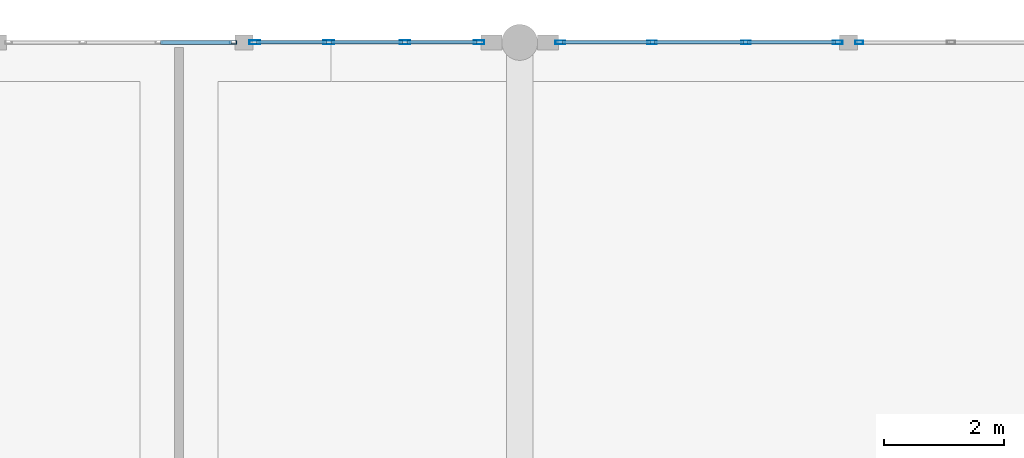
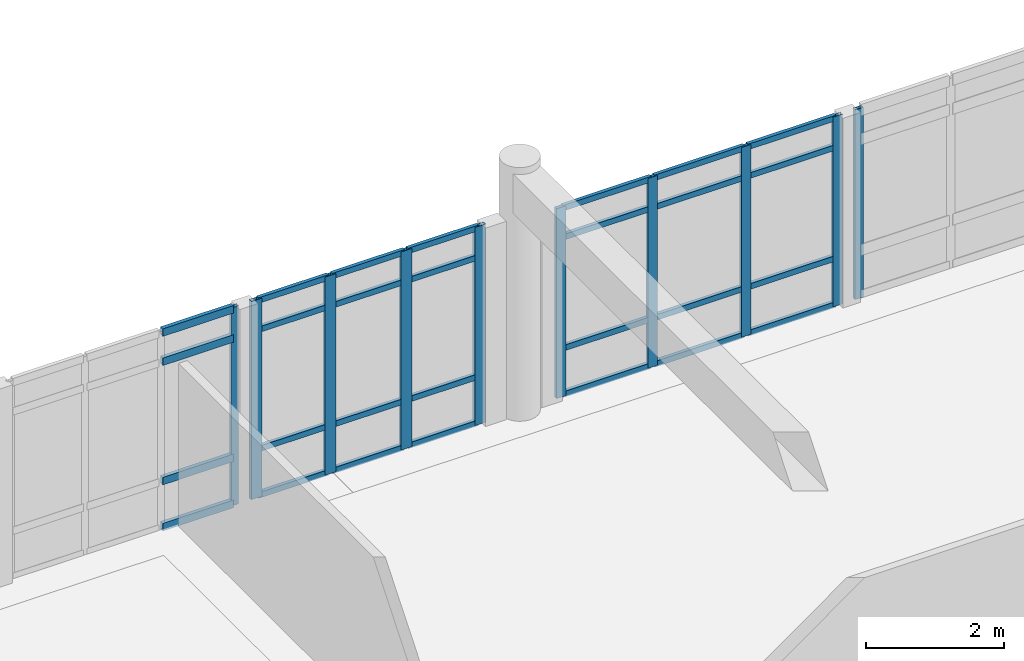
# One storey, part 55 of 109: 38 members, 4 elements without a shape of their own.
"""IFC4 building model written with IfcOpenShell, lengths in metres."""

from ifc_helpers import new_model, si_unit, direction, frame, origin, origin_2d, place, context, subcontext, project, spatial, hollow_rectangle, extrude, material, layer, layer_set, material_profile, profile_set, type_object, element, aggregate, save


model = new_model("IFC4")

# Units and contexts
model_context = context("Model", 3, precision=1e-05, world=origin(), true_north=direction((0.0, 1.0)))
body_context = subcontext(model_context, "Body", "Model", "MODEL_VIEW")
ifc_project = project(units=[si_unit("LENGTHUNIT", "METRE"), si_unit("AREAUNIT", "SQUARE_METRE"), si_unit("VOLUMEUNIT", "CUBIC_METRE"), si_unit("PLANEANGLEUNIT", "RADIAN"), si_unit("MASSUNIT", "GRAM", prefix="KILO")], contexts=[model_context])

# Site, building, storey
site_placement = place(None, origin())
site = spatial("IfcSite", under=ifc_project, at=site_placement, CompositionType="ELEMENT")
building_placement = place(site_placement, origin())
building = spatial("IfcBuilding", under=site, at=building_placement, Name="Fikremerkos Civic Library", CompositionType="ELEMENT")
storey_placement = place(building_placement, frame((0.0, 0.0, 5.39990234375)))
storey = spatial("IfcBuildingStorey", under=building, at=storey_placement, Name="L01", CompositionType="ELEMENT", Elevation=5.39990234375)

# Curtain wall, members
ifc_material = material(Name="Anodized aluminium Frame", Category="aluminium")
ifc_layer_1 = layer(ifc_material, 0.159912109375, Name="Anodized aluminium Frame")
ifc_layer_set_1 = layer_set([ifc_layer_1], Name="Anodized aluminium Frame")
curtain_wall_type_1 = type_object("IfcCurtainWallType", Name="Unitised curtain wall CW-13 3700x3200", PredefinedType="USERDEFINED", material=ifc_layer_set_1)
curtain_wall_1_placement = place(storey_placement, origin())
curtain_wall_1 = element("IfcCurtainWall", 1, at=curtain_wall_1_placement, inside=storey, type_object=curtain_wall_type_1, Name="Unitised curtain wall CW-13 L01 #139", ObjectType="UNITISED CURTAIN WALL", PredefinedType="USERDEFINED")
ifc_material_profile_1 = material_profile(ifc_material, hollow_rectangle(XDim=0.06494140625, YDim=0.179931640625, WallThickness=0.00439453125, at=origin_2d()), Name="ALU 180x65x4.5")
ifc_profile_set_1 = profile_set([ifc_material_profile_1], Name="Anodized aluminium Frame")
member_type_1 = type_object("IfcMemberType", Name="Curtain mullion CWM-01 ALU 180x65x4.5", PredefinedType="MULLION", material=ifc_profile_set_1)
member_1_placement = place(storey_placement, frame((109.2666015625, 117.60009765625, 0.0), z_axis=(0.0, 0.0, 1.0), x_axis=(0.0, 1.0, 0.0)))
member_1 = element("IfcMember", 2, at=member_1_placement, type_object=member_type_1, Name="CW-13 mullion 1", PredefinedType="MULLION", context=body_context, shape_type="SweptSolid", body=[
    extrude(hollow_rectangle(XDim=0.06494140625, YDim=0.179931640625, WallThickness=0.00439453125, at=origin_2d()), origin(), (0.0, 0.0, 1.0), 3.517333984375),
])
member_2_placement = place(storey_placement, frame((110.506591796875, 117.60009765625, 0.0), z_axis=(0.0, 0.0, 1.0), x_axis=(0.0, 1.0, 0.0)))
member_2 = element("IfcMember", 3, at=member_2_placement, type_object=member_type_1, Name="CW-13 mullion 2", PredefinedType="MULLION", context=body_context, shape_type="SweptSolid", body=[
    extrude(hollow_rectangle(XDim=0.06494140625, YDim=0.179931640625, WallThickness=0.00439453125, at=origin_2d()), origin(), (0.0, 0.0, 1.0), 3.517333984375),
])
member_3_placement = place(storey_placement, frame((111.779296875, 117.60009765625, 0.0), z_axis=(0.0, 0.0, 1.0), x_axis=(0.0, 1.0, 0.0)))
member_3 = element("IfcMember", 4, at=member_3_placement, type_object=member_type_1, Name="CW-13 mullion 3", PredefinedType="MULLION", context=body_context, shape_type="SweptSolid", body=[
    extrude(hollow_rectangle(XDim=0.06494140625, YDim=0.179931640625, WallThickness=0.00439453125, at=origin_2d()), origin(), (0.0, 0.0, 1.0), 3.517333984375),
])
member_4_placement = place(storey_placement, frame((113.01953125, 117.60009765625, 0.0), z_axis=(0.0, 0.0, 1.0), x_axis=(0.0, 1.0, 0.0)))
member_4 = element("IfcMember", 5, at=member_4_placement, type_object=member_type_1, Name="CW-13 mullion 4", PredefinedType="MULLION", context=body_context, shape_type="SweptSolid", body=[
    extrude(hollow_rectangle(XDim=0.06494140625, YDim=0.179931640625, WallThickness=0.00439453125, at=origin_2d()), origin(), (0.0, 0.0, 1.0), 3.517333984375),
])

ifc_layer_2 = layer(ifc_material, 0.159912109375, Name="Anodized aluminium Frame")
ifc_layer_set_2 = layer_set([ifc_layer_2], Name="Anodized aluminium Frame")
curtain_wall_type_2 = type_object("IfcCurtainWallType", Name="Unitised curtain wall CW-14 4100x3200", PredefinedType="USERDEFINED", material=ifc_layer_set_2)
curtain_wall_2_placement = place(storey_placement, origin())
curtain_wall_2 = element("IfcCurtainWall", 6, at=curtain_wall_2_placement, inside=storey, type_object=curtain_wall_type_2, Name="Unitised curtain wall CW-14 L01 #140", ObjectType="UNITISED CURTAIN WALL", PredefinedType="USERDEFINED")
ifc_material_profile_2 = material_profile(ifc_material, hollow_rectangle(XDim=0.06005859375, YDim=0.159912109375, WallThickness=0.00390625, at=origin_2d()), Name="ALU 160x60x4")
ifc_profile_set_2 = profile_set([ifc_material_profile_2], Name="Anodized aluminium Frame")
member_type_2 = type_object("IfcMemberType", Name="Curtain mullion CWM-02 ALU 160x60x4", PredefinedType="MULLION", material=ifc_profile_set_2)
member_5_placement = place(storey_placement, frame((114.3779296875, 117.60009765625, 0.0), z_axis=(0.0, 0.0, 1.0), x_axis=(0.0, 1.0, 0.0)))
member_5 = element("IfcMember", 7, at=member_5_placement, type_object=member_type_2, Name="CW-14 mullion 1", PredefinedType="MULLION", context=body_context, shape_type="SweptSolid", body=[
    extrude(hollow_rectangle(XDim=0.06005859375, YDim=0.159912109375, WallThickness=0.00390625, at=origin_2d()), origin(), (0.0, 0.0, 1.0), 3.3671875),
])
member_6_placement = place(storey_placement, frame((115.915283203125, 117.60009765625, 0.0), z_axis=(0.0, 0.0, 1.0), x_axis=(0.0, 1.0, 0.0)))
member_6 = element("IfcMember", 8, at=member_6_placement, type_object=member_type_2, Name="CW-14 mullion 2", PredefinedType="MULLION", context=body_context, shape_type="SweptSolid", body=[
    extrude(hollow_rectangle(XDim=0.06005859375, YDim=0.159912109375, WallThickness=0.00390625, at=origin_2d()), origin(), (0.0, 0.0, 1.0), 3.3671875),
])
member_7_placement = place(storey_placement, frame((117.482666015625, 117.60009765625, 0.0), z_axis=(0.0, 0.0, 1.0), x_axis=(0.0, 1.0, 0.0)))
member_7 = element("IfcMember", 9, at=member_7_placement, type_object=member_type_2, Name="CW-14 mullion 3", PredefinedType="MULLION", context=body_context, shape_type="SweptSolid", body=[
    extrude(hollow_rectangle(XDim=0.06005859375, YDim=0.159912109375, WallThickness=0.00390625, at=origin_2d()), origin(), (0.0, 0.0, 1.0), 3.3671875),
])
member_8_placement = place(storey_placement, frame((119.02001953125, 117.60009765625, 0.0), z_axis=(0.0, 0.0, 1.0), x_axis=(0.0, 1.0, 0.0)))
member_8 = element("IfcMember", 10, at=member_8_placement, type_object=member_type_2, Name="CW-14 mullion 4", PredefinedType="MULLION", context=body_context, shape_type="SweptSolid", body=[
    extrude(hollow_rectangle(XDim=0.06005859375, YDim=0.159912109375, WallThickness=0.00390625, at=origin_2d()), origin(), (0.0, 0.0, 1.0), 3.3671875),
])

# Curtain wall, member
ifc_layer_3 = layer(ifc_material, 0.159912109375, Name="Anodized aluminium Frame")
ifc_layer_set_3 = layer_set([ifc_layer_3], Name="Anodized aluminium Frame")
curtain_wall_type_3 = type_object("IfcCurtainWallType", Name="Unitised curtain wall CW-15 2900x3600", PredefinedType="USERDEFINED", material=ifc_layer_set_3)
curtain_wall_3_placement = place(storey_placement, origin())
curtain_wall_3 = element("IfcCurtainWall", 11, at=curtain_wall_3_placement, inside=storey, type_object=curtain_wall_type_3, Name="Unitised curtain wall CW-15 L01 #141", ObjectType="UNITISED CURTAIN WALL", PredefinedType="USERDEFINED")
ifc_material_profile_3 = material_profile(ifc_material, hollow_rectangle(XDim=0.06005859375, YDim=0.139892578125, WallThickness=0.00390625, at=origin_2d()), Name="ALU 140x60x4")
ifc_profile_set_3 = profile_set([ifc_material_profile_3], Name="Anodized aluminium Frame")
member_type_3 = type_object("IfcMemberType", Name="Curtain mullion CWM-03 ALU 140x60x4", PredefinedType="MULLION", material=ifc_profile_set_3)
member_9_placement = place(storey_placement, frame((119.3798828125, 117.60009765625, 0.0), z_axis=(0.0, 0.0, 1.0), x_axis=(0.0, 1.0, 0.0)))
member_9 = element("IfcMember", 12, at=member_9_placement, type_object=member_type_3, Name="CW-15 mullion 1", PredefinedType="MULLION", context=body_context, shape_type="SweptSolid", body=[
    extrude(hollow_rectangle(XDim=0.06005859375, YDim=0.139892578125, WallThickness=0.00390625, at=origin_2d()), origin(), (0.0, 0.0, 1.0), 3.3671875),
])
aggregate(curtain_wall_3, [member_9])

# Curtain wall, members
ifc_layer_4 = layer(ifc_material, 0.159912109375, Name="Anodized aluminium Frame")
ifc_layer_set_4 = layer_set([ifc_layer_4], Name="Anodized aluminium Frame")
curtain_wall_type_4 = type_object("IfcCurtainWallType", Name="Unitised curtain wall CW-12 4300x3400", PredefinedType="USERDEFINED", material=ifc_layer_set_4)
curtain_wall_4_placement = place(storey_placement, origin())
curtain_wall_4 = element("IfcCurtainWall", 13, at=curtain_wall_4_placement, inside=storey, type_object=curtain_wall_type_4, Name="Unitised curtain wall CW-12 L01 #138", ObjectType="UNITISED CURTAIN WALL", PredefinedType="USERDEFINED")
ifc_material_profile_4 = material_profile(ifc_material, hollow_rectangle(XDim=0.06005859375, YDim=0.1201171875, WallThickness=0.00390625, at=origin_2d()), Name="ALU 120x60x4")
ifc_profile_set_4 = profile_set([ifc_material_profile_4], Name="Anodized aluminium Frame")
member_type_4 = type_object("IfcMemberType", Name="Curtain mullion CWM-04 ALU 120x60x4", PredefinedType="MULLION", material=ifc_profile_set_4)
member_10_placement = place(storey_placement, frame((108.904052734375, 117.60009765625, 0.0), z_axis=(0.0, 0.0, 1.0), x_axis=(0.0, 1.0, 0.0)))
member_10 = element("IfcMember", 14, at=member_10_placement, type_object=member_type_4, Name="CW-12 mullion 4", PredefinedType="MULLION", context=body_context, shape_type="SweptSolid", body=[
    extrude(hollow_rectangle(XDim=0.06005859375, YDim=0.1201171875, WallThickness=0.00390625, at=origin_2d()), origin(), (0.0, 0.0, 1.0), 3.517333984375),
])
ifc_material_profile_5 = material_profile(ifc_material, hollow_rectangle(XDim=0.06494140625, YDim=0.135009765625, WallThickness=0.00439453125, at=origin_2d()), Name="ALU 135x65x4.5")
ifc_profile_set_5 = profile_set([ifc_material_profile_5], Name="Anodized aluminium Frame")
member_type_5 = type_object("IfcMemberType", Name="Curtain transom CWT-02 ALU 135x65x4.5", PredefinedType="USERDEFINED", material=ifc_profile_set_5)
member_11_placement = place(storey_placement, frame((107.69140625, 117.60009765625, 0.03271484375), z_axis=(1.0, 0.0, 0.0), x_axis=(0.0, 1.0, 0.0)))
member_11 = element("IfcMember", 15, at=member_11_placement, type_object=member_type_5, Name="CW-12 transom 3.1", ObjectType="TRANSOM", PredefinedType="USERDEFINED", context=body_context, shape_type="SweptSolid", body=[
    extrude(hollow_rectangle(XDim=0.06494140625, YDim=0.135009765625, WallThickness=0.00439453125, at=origin_2d()), origin(), (0.0, 0.0, 1.0), 1.1826171875),
])
member_12_placement = place(storey_placement, frame((107.69140625, 117.60009765625, 0.85009765625), z_axis=(1.0, 0.0, 0.0), x_axis=(0.0, 1.0, 0.0)))
member_12 = element("IfcMember", 16, at=member_12_placement, type_object=member_type_5, Name="CW-12 transom 3.2", ObjectType="TRANSOM", PredefinedType="USERDEFINED", context=body_context, shape_type="SweptSolid", body=[
    extrude(hollow_rectangle(XDim=0.06494140625, YDim=0.135009765625, WallThickness=0.00439453125, at=origin_2d()), origin(), (0.0, 0.0, 1.0), 1.1826171875),
])
member_13_placement = place(storey_placement, frame((107.69140625, 117.60009765625, 2.96728515625), z_axis=(1.0, 0.0, 0.0), x_axis=(0.0, 1.0, 0.0)))
member_13 = element("IfcMember", 17, at=member_13_placement, type_object=member_type_5, Name="CW-12 transom 3.3", ObjectType="TRANSOM", PredefinedType="USERDEFINED", context=body_context, shape_type="SweptSolid", body=[
    extrude(hollow_rectangle(XDim=0.06494140625, YDim=0.135009765625, WallThickness=0.00439453125, at=origin_2d()), origin(), (0.0, 0.0, 1.0), 1.1826171875),
])
member_14_placement = place(storey_placement, frame((107.69140625, 117.60009765625, 3.48486328125), z_axis=(1.0, 0.0, 0.0), x_axis=(0.0, 1.0, 0.0)))
member_14 = element("IfcMember", 18, at=member_14_placement, type_object=member_type_5, Name="CW-12 transom 3.4", ObjectType="TRANSOM", PredefinedType="USERDEFINED", context=body_context, shape_type="SweptSolid", body=[
    extrude(hollow_rectangle(XDim=0.06494140625, YDim=0.135009765625, WallThickness=0.00439453125, at=origin_2d()), origin(), (0.0, 0.0, 1.0), 1.1826171875),
])
aggregate(curtain_wall_4, [member_10, member_11, member_12, member_13, member_14])

# Member
ifc_material_profile_6 = material_profile(ifc_material, hollow_rectangle(XDim=0.06005859375, YDim=0.10009765625, WallThickness=0.00390625, at=origin_2d()), Name="ALU 100x60x4")
ifc_profile_set_6 = profile_set([ifc_material_profile_6], Name="Anodized aluminium Frame")
member_type_6 = type_object("IfcMemberType", Name="Curtain transom CWT-03 ALU 100x60x4", PredefinedType="USERDEFINED", material=ifc_profile_set_6)
member_15_placement = place(storey_placement, frame((109.299072265625, 117.60009765625, 0.030029296875), z_axis=(1.0, 0.0, 0.0), x_axis=(0.0, 1.0, 0.0)))
member_15 = element("IfcMember", 19, at=member_15_placement, type_object=member_type_6, Name="CW-13 transom 1.1", ObjectType="TRANSOM", PredefinedType="USERDEFINED", context=body_context, shape_type="SweptSolid", body=[
    extrude(hollow_rectangle(XDim=0.06005859375, YDim=0.10009765625, WallThickness=0.00390625, at=origin_2d()), origin(), (0.0, 0.0, 1.0), 1.175048828125),
])

member_16_placement = place(storey_placement, frame((109.299072265625, 117.60009765625, 0.85009765625), z_axis=(1.0, 0.0, 0.0), x_axis=(0.0, 1.0, 0.0)))
member_16 = element("IfcMember", 20, at=member_16_placement, type_object=member_type_6, Name="CW-13 transom 1.2", ObjectType="TRANSOM", PredefinedType="USERDEFINED", context=body_context, shape_type="SweptSolid", body=[
    extrude(hollow_rectangle(XDim=0.06005859375, YDim=0.10009765625, WallThickness=0.00390625, at=origin_2d()), origin(), (0.0, 0.0, 1.0), 1.175048828125),
])

member_17_placement = place(storey_placement, frame((109.299072265625, 117.60009765625, 2.96728515625), z_axis=(1.0, 0.0, 0.0), x_axis=(0.0, 1.0, 0.0)))
member_17 = element("IfcMember", 21, at=member_17_placement, type_object=member_type_6, Name="CW-13 transom 1.3", ObjectType="TRANSOM", PredefinedType="USERDEFINED", context=body_context, shape_type="SweptSolid", body=[
    extrude(hollow_rectangle(XDim=0.06005859375, YDim=0.10009765625, WallThickness=0.00390625, at=origin_2d()), origin(), (0.0, 0.0, 1.0), 1.175048828125),
])

member_18_placement = place(storey_placement, frame((109.299072265625, 117.60009765625, 3.4873046875), z_axis=(1.0, 0.0, 0.0), x_axis=(0.0, 1.0, 0.0)))
member_18 = element("IfcMember", 22, at=member_18_placement, type_object=member_type_6, Name="CW-13 transom 1.4", ObjectType="TRANSOM", PredefinedType="USERDEFINED", context=body_context, shape_type="SweptSolid", body=[
    extrude(hollow_rectangle(XDim=0.06005859375, YDim=0.10009765625, WallThickness=0.00390625, at=origin_2d()), origin(), (0.0, 0.0, 1.0), 1.175048828125),
])

member_19_placement = place(storey_placement, frame((110.5390625, 117.60009765625, 0.030029296875), z_axis=(1.0, 0.0, 0.0), x_axis=(0.0, 1.0, 0.0)))
member_19 = element("IfcMember", 23, at=member_19_placement, type_object=member_type_6, Name="CW-13 transom 2.1", ObjectType="TRANSOM", PredefinedType="USERDEFINED", context=body_context, shape_type="SweptSolid", body=[
    extrude(hollow_rectangle(XDim=0.06005859375, YDim=0.10009765625, WallThickness=0.00390625, at=origin_2d()), origin(), (0.0, 0.0, 1.0), 1.207763671875),
])

member_20_placement = place(storey_placement, frame((110.5390625, 117.60009765625, 0.85009765625), z_axis=(1.0, 0.0, 0.0), x_axis=(0.0, 1.0, 0.0)))
member_20 = element("IfcMember", 24, at=member_20_placement, type_object=member_type_6, Name="CW-13 transom 2.2", ObjectType="TRANSOM", PredefinedType="USERDEFINED", context=body_context, shape_type="SweptSolid", body=[
    extrude(hollow_rectangle(XDim=0.06005859375, YDim=0.10009765625, WallThickness=0.00390625, at=origin_2d()), origin(), (0.0, 0.0, 1.0), 1.207763671875),
])

member_21_placement = place(storey_placement, frame((110.5390625, 117.60009765625, 2.96728515625), z_axis=(1.0, 0.0, 0.0), x_axis=(0.0, 1.0, 0.0)))
member_21 = element("IfcMember", 25, at=member_21_placement, type_object=member_type_6, Name="CW-13 transom 2.3", ObjectType="TRANSOM", PredefinedType="USERDEFINED", context=body_context, shape_type="SweptSolid", body=[
    extrude(hollow_rectangle(XDim=0.06005859375, YDim=0.10009765625, WallThickness=0.00390625, at=origin_2d()), origin(), (0.0, 0.0, 1.0), 1.207763671875),
])

member_22_placement = place(storey_placement, frame((110.5390625, 117.60009765625, 3.4873046875), z_axis=(1.0, 0.0, 0.0), x_axis=(0.0, 1.0, 0.0)))
member_22 = element("IfcMember", 26, at=member_22_placement, type_object=member_type_6, Name="CW-13 transom 2.4", ObjectType="TRANSOM", PredefinedType="USERDEFINED", context=body_context, shape_type="SweptSolid", body=[
    extrude(hollow_rectangle(XDim=0.06005859375, YDim=0.10009765625, WallThickness=0.00390625, at=origin_2d()), origin(), (0.0, 0.0, 1.0), 1.207763671875),
])

member_23_placement = place(storey_placement, frame((111.811767578125, 117.60009765625, 0.030029296875), z_axis=(1.0, 0.0, 0.0), x_axis=(0.0, 1.0, 0.0)))
member_23 = element("IfcMember", 27, at=member_23_placement, type_object=member_type_6, Name="CW-13 transom 3.1", ObjectType="TRANSOM", PredefinedType="USERDEFINED", context=body_context, shape_type="SweptSolid", body=[
    extrude(hollow_rectangle(XDim=0.06005859375, YDim=0.10009765625, WallThickness=0.00390625, at=origin_2d()), origin(), (0.0, 0.0, 1.0), 1.17529296875),
])

member_24_placement = place(storey_placement, frame((111.811767578125, 117.60009765625, 0.85009765625), z_axis=(1.0, 0.0, 0.0), x_axis=(0.0, 1.0, 0.0)))
member_24 = element("IfcMember", 28, at=member_24_placement, type_object=member_type_6, Name="CW-13 transom 3.2", ObjectType="TRANSOM", PredefinedType="USERDEFINED", context=body_context, shape_type="SweptSolid", body=[
    extrude(hollow_rectangle(XDim=0.06005859375, YDim=0.10009765625, WallThickness=0.00390625, at=origin_2d()), origin(), (0.0, 0.0, 1.0), 1.17529296875),
])

member_25_placement = place(storey_placement, frame((111.811767578125, 117.60009765625, 2.96728515625), z_axis=(1.0, 0.0, 0.0), x_axis=(0.0, 1.0, 0.0)))
member_25 = element("IfcMember", 29, at=member_25_placement, type_object=member_type_6, Name="CW-13 transom 3.3", ObjectType="TRANSOM", PredefinedType="USERDEFINED", context=body_context, shape_type="SweptSolid", body=[
    extrude(hollow_rectangle(XDim=0.06005859375, YDim=0.10009765625, WallThickness=0.00390625, at=origin_2d()), origin(), (0.0, 0.0, 1.0), 1.17529296875),
])

member_26_placement = place(storey_placement, frame((111.811767578125, 117.60009765625, 3.4873046875), z_axis=(1.0, 0.0, 0.0), x_axis=(0.0, 1.0, 0.0)))
member_26 = element("IfcMember", 30, at=member_26_placement, type_object=member_type_6, Name="CW-13 transom 3.4", ObjectType="TRANSOM", PredefinedType="USERDEFINED", context=body_context, shape_type="SweptSolid", body=[
    extrude(hollow_rectangle(XDim=0.06005859375, YDim=0.10009765625, WallThickness=0.00390625, at=origin_2d()), origin(), (0.0, 0.0, 1.0), 1.17529296875),
])

aggregate(curtain_wall_1, [member_1, member_2, member_3, member_4, member_15, member_16, member_17, member_18, member_19, member_20, member_21, member_22, member_23, member_24, member_25, member_26])

member_27_placement = place(storey_placement, frame((114.407958984375, 117.60009765625, 0.030029296875), z_axis=(1.0, 0.0, 0.0), x_axis=(0.0, 1.0, 0.0)))
member_27 = element("IfcMember", 31, at=member_27_placement, type_object=member_type_6, Name="CW-14 transom 1.1", ObjectType="TRANSOM", PredefinedType="USERDEFINED", context=body_context, shape_type="SweptSolid", body=[
    extrude(hollow_rectangle(XDim=0.06005859375, YDim=0.10009765625, WallThickness=0.00390625, at=origin_2d()), origin(), (0.0, 0.0, 1.0), 1.477294921875),
])

member_28_placement = place(storey_placement, frame((114.407958984375, 117.60009765625, 0.85009765625), z_axis=(1.0, 0.0, 0.0), x_axis=(0.0, 1.0, 0.0)))
member_28 = element("IfcMember", 32, at=member_28_placement, type_object=member_type_6, Name="CW-14 transom 1.2", ObjectType="TRANSOM", PredefinedType="USERDEFINED", context=body_context, shape_type="SweptSolid", body=[
    extrude(hollow_rectangle(XDim=0.06005859375, YDim=0.10009765625, WallThickness=0.00390625, at=origin_2d()), origin(), (0.0, 0.0, 1.0), 1.477294921875),
])

member_29_placement = place(storey_placement, frame((114.407958984375, 117.60009765625, 2.8173828125), z_axis=(1.0, 0.0, 0.0), x_axis=(0.0, 1.0, 0.0)))
member_29 = element("IfcMember", 33, at=member_29_placement, type_object=member_type_6, Name="CW-14 transom 1.3", ObjectType="TRANSOM", PredefinedType="USERDEFINED", context=body_context, shape_type="SweptSolid", body=[
    extrude(hollow_rectangle(XDim=0.06005859375, YDim=0.10009765625, WallThickness=0.00390625, at=origin_2d()), origin(), (0.0, 0.0, 1.0), 1.477294921875),
])

member_30_placement = place(storey_placement, frame((114.407958984375, 117.60009765625, 3.33740234375), z_axis=(1.0, 0.0, 0.0), x_axis=(0.0, 1.0, 0.0)))
member_30 = element("IfcMember", 34, at=member_30_placement, type_object=member_type_6, Name="CW-14 transom 1.4", ObjectType="TRANSOM", PredefinedType="USERDEFINED", context=body_context, shape_type="SweptSolid", body=[
    extrude(hollow_rectangle(XDim=0.06005859375, YDim=0.10009765625, WallThickness=0.00390625, at=origin_2d()), origin(), (0.0, 0.0, 1.0), 1.477294921875),
])

member_31_placement = place(storey_placement, frame((115.9453125, 117.60009765625, 0.030029296875), z_axis=(1.0, 0.0, 0.0), x_axis=(0.0, 1.0, 0.0)))
member_31 = element("IfcMember", 35, at=member_31_placement, type_object=member_type_6, Name="CW-14 transom 2.1", ObjectType="TRANSOM", PredefinedType="USERDEFINED", context=body_context, shape_type="SweptSolid", body=[
    extrude(hollow_rectangle(XDim=0.06005859375, YDim=0.10009765625, WallThickness=0.00390625, at=origin_2d()), origin(), (0.0, 0.0, 1.0), 1.50732421875),
])

member_32_placement = place(storey_placement, frame((115.9453125, 117.60009765625, 0.85009765625), z_axis=(1.0, 0.0, 0.0), x_axis=(0.0, 1.0, 0.0)))
member_32 = element("IfcMember", 36, at=member_32_placement, type_object=member_type_6, Name="CW-14 transom 2.2", ObjectType="TRANSOM", PredefinedType="USERDEFINED", context=body_context, shape_type="SweptSolid", body=[
    extrude(hollow_rectangle(XDim=0.06005859375, YDim=0.10009765625, WallThickness=0.00390625, at=origin_2d()), origin(), (0.0, 0.0, 1.0), 1.50732421875),
])

member_33_placement = place(storey_placement, frame((115.9453125, 117.60009765625, 2.8173828125), z_axis=(1.0, 0.0, 0.0), x_axis=(0.0, 1.0, 0.0)))
member_33 = element("IfcMember", 37, at=member_33_placement, type_object=member_type_6, Name="CW-14 transom 2.3", ObjectType="TRANSOM", PredefinedType="USERDEFINED", context=body_context, shape_type="SweptSolid", body=[
    extrude(hollow_rectangle(XDim=0.06005859375, YDim=0.10009765625, WallThickness=0.00390625, at=origin_2d()), origin(), (0.0, 0.0, 1.0), 1.50732421875),
])

member_34_placement = place(storey_placement, frame((115.9453125, 117.60009765625, 3.33740234375), z_axis=(1.0, 0.0, 0.0), x_axis=(0.0, 1.0, 0.0)))
member_34 = element("IfcMember", 38, at=member_34_placement, type_object=member_type_6, Name="CW-14 transom 2.4", ObjectType="TRANSOM", PredefinedType="USERDEFINED", context=body_context, shape_type="SweptSolid", body=[
    extrude(hollow_rectangle(XDim=0.06005859375, YDim=0.10009765625, WallThickness=0.00390625, at=origin_2d()), origin(), (0.0, 0.0, 1.0), 1.50732421875),
])

member_35_placement = place(storey_placement, frame((117.5126953125, 117.60009765625, 0.030029296875), z_axis=(1.0, 0.0, 0.0), x_axis=(0.0, 1.0, 0.0)))
member_35 = element("IfcMember", 39, at=member_35_placement, type_object=member_type_6, Name="CW-14 transom 3.1", ObjectType="TRANSOM", PredefinedType="USERDEFINED", context=body_context, shape_type="SweptSolid", body=[
    extrude(hollow_rectangle(XDim=0.06005859375, YDim=0.10009765625, WallThickness=0.00390625, at=origin_2d()), origin(), (0.0, 0.0, 1.0), 1.477294921875),
])

member_36_placement = place(storey_placement, frame((117.5126953125, 117.60009765625, 0.85009765625), z_axis=(1.0, 0.0, 0.0), x_axis=(0.0, 1.0, 0.0)))
member_36 = element("IfcMember", 40, at=member_36_placement, type_object=member_type_6, Name="CW-14 transom 3.2", ObjectType="TRANSOM", PredefinedType="USERDEFINED", context=body_context, shape_type="SweptSolid", body=[
    extrude(hollow_rectangle(XDim=0.06005859375, YDim=0.10009765625, WallThickness=0.00390625, at=origin_2d()), origin(), (0.0, 0.0, 1.0), 1.477294921875),
])

member_37_placement = place(storey_placement, frame((117.5126953125, 117.60009765625, 2.8173828125), z_axis=(1.0, 0.0, 0.0), x_axis=(0.0, 1.0, 0.0)))
member_37 = element("IfcMember", 41, at=member_37_placement, type_object=member_type_6, Name="CW-14 transom 3.3", ObjectType="TRANSOM", PredefinedType="USERDEFINED", context=body_context, shape_type="SweptSolid", body=[
    extrude(hollow_rectangle(XDim=0.06005859375, YDim=0.10009765625, WallThickness=0.00390625, at=origin_2d()), origin(), (0.0, 0.0, 1.0), 1.477294921875),
])

member_38_placement = place(storey_placement, frame((117.5126953125, 117.60009765625, 3.33740234375), z_axis=(1.0, 0.0, 0.0), x_axis=(0.0, 1.0, 0.0)))
member_38 = element("IfcMember", 42, at=member_38_placement, type_object=member_type_6, Name="CW-14 transom 3.4", ObjectType="TRANSOM", PredefinedType="USERDEFINED", context=body_context, shape_type="SweptSolid", body=[
    extrude(hollow_rectangle(XDim=0.06005859375, YDim=0.10009765625, WallThickness=0.00390625, at=origin_2d()), origin(), (0.0, 0.0, 1.0), 1.477294921875),
])

aggregate(curtain_wall_2, [member_5, member_6, member_7, member_8, member_27, member_28, member_29, member_30, member_31, member_32, member_33, member_34, member_35, member_36, member_37, member_38])

save(model, "model.ifc")
